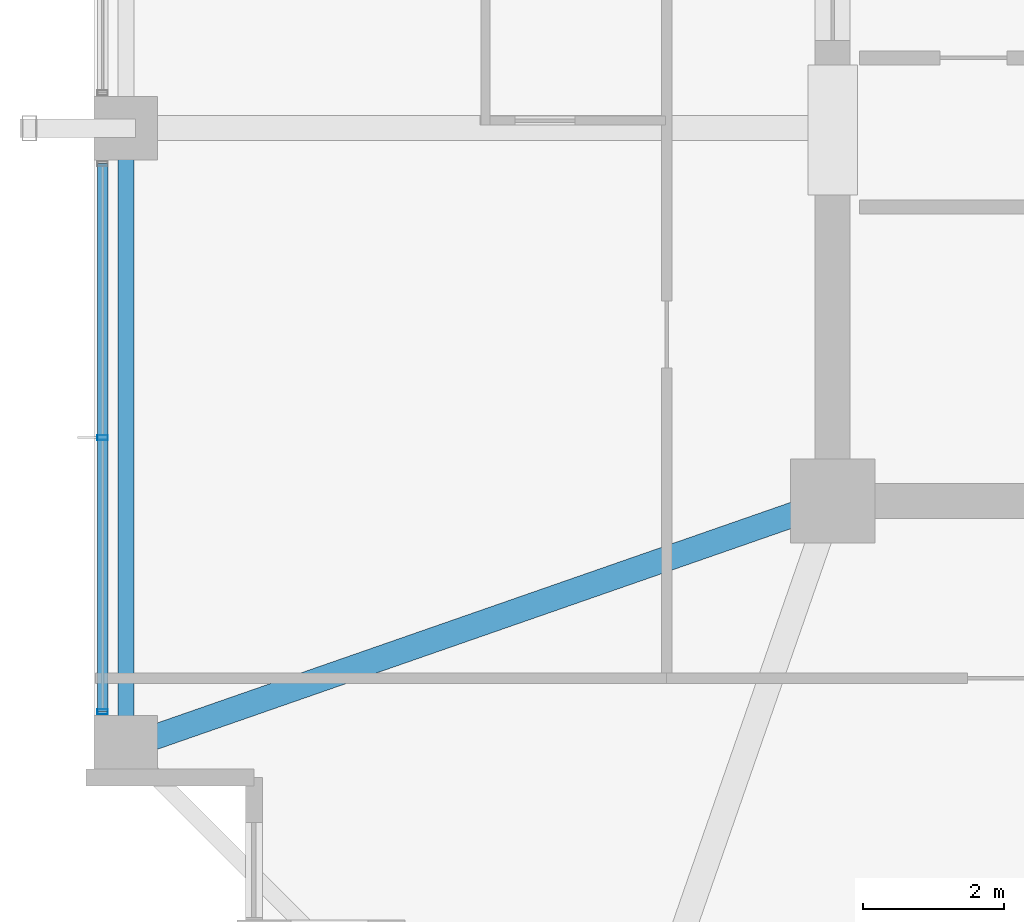
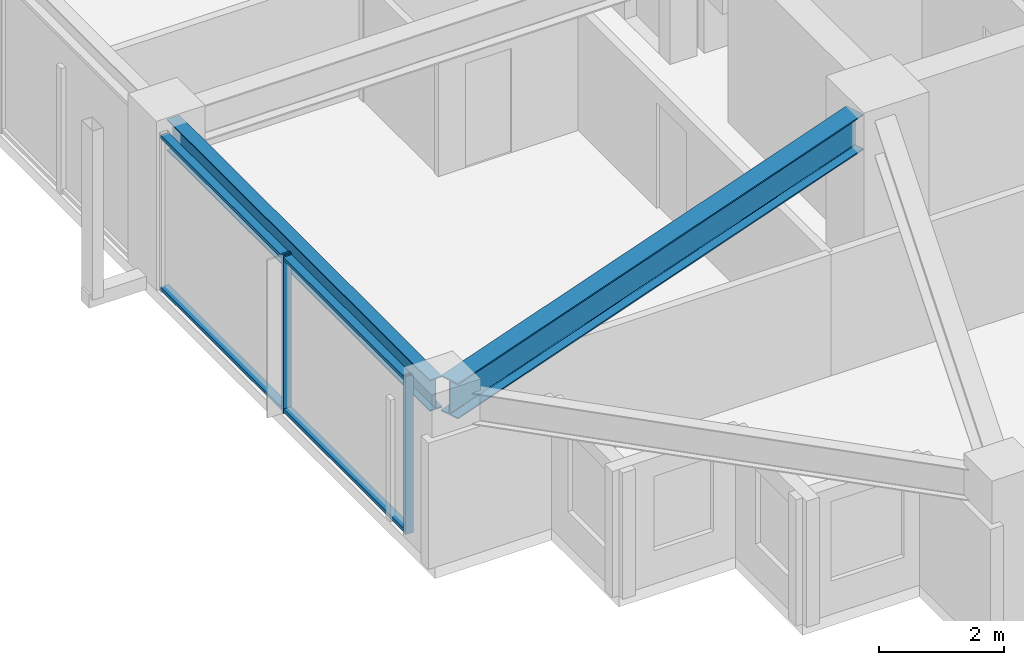
# One storey, part 3 of 37: 4 members, 2 beams, 1 element without a shape of its own.
"""IFC4 building model written with IfcOpenShell, lengths in metres."""

from ifc_helpers import new_model, si_unit, direction, frame, origin, origin_2d, place, context, subcontext, project, spatial, hollow_rectangle, i_section, extrude, material, material_profile, profile_set, type_object, element, aggregate, save


model = new_model("IFC4")

# Units and contexts
model_context = context("Model", 3, precision=1e-05, world=origin(), true_north=direction((0.0, 1.0)))
body_context = subcontext(model_context, "Body", "Model", "MODEL_VIEW")
ifc_project = project(units=[si_unit("LENGTHUNIT", "METRE"), si_unit("AREAUNIT", "SQUARE_METRE"), si_unit("VOLUMEUNIT", "CUBIC_METRE"), si_unit("PLANEANGLEUNIT", "RADIAN"), si_unit("MASSUNIT", "GRAM", prefix="KILO")], contexts=[model_context])

# Site, building, storey
site_placement = place(None, origin())
site = spatial("IfcSite", under=ifc_project, at=site_placement, CompositionType="ELEMENT")
building_placement = place(site_placement, origin())
building = spatial("IfcBuilding", under=site, at=building_placement, Name="Kolvaren Belvedere", CompositionType="ELEMENT")
storey_placement = place(building_placement, frame((0.0, 0.0, 180.0)))
storey = spatial("IfcBuildingStorey", under=building, at=storey_placement, Name="L52", CompositionType="ELEMENT", Elevation=180.0)

# Beams
ifc_material_1 = material(Name="Structural steel ASTM A992 Grade 50", Category="steel")
ifc_material_profile_1 = material_profile(ifc_material_1, i_section(OverallWidth=0.35498046875, OverallDepth=0.696044921875, WebThickness=0.015380859375, FlangeThickness=0.02490234375, FilletRadius=0.02197265625, at=origin_2d()), Name="W27X146")
ifc_profile_set_1 = profile_set([ifc_material_profile_1], Name="Structural steel ASTM A992 Grade 50")
beam_type_1 = type_object("IfcBeamType", Name="BM-GIRD-W27X146", PredefinedType="BEAM", material=ifc_profile_set_1)
beam_1_placement = place(storey_placement, frame((-10.41943359375, -10.080810546875, 2.73193359375), z_axis=(-0.944366798861, -0.328894130701, 0.0), x_axis=(0.328894130701, -0.944366798861, 0.0)))
element("IfcBeam", 1, at=beam_1_placement, inside=storey, type_object=beam_type_1, Name="L52 Corner Core-to-Perimeter Girder CC1-W1", PredefinedType="BEAM", context=body_context, shape_type="SweptSolid", body=[
    extrude(i_section(OverallWidth=0.35498046875, OverallDepth=0.696044921875, WebThickness=0.015380859375, FlangeThickness=0.02490234375, FilletRadius=0.02197265625, at=origin_2d()), origin(), (0.0, 0.0, 1.0), 9.912109375),
])
ifc_material_2 = material(Name="Structural steel ASTM A992 Grade 50", Category="steel")
ifc_material_profile_2 = material_profile(ifc_material_2, i_section(OverallWidth=0.22900390625, OverallDepth=0.612060546875, WebThickness=0.011962890625, FlangeThickness=0.01953125, FilletRadius=0.01806640625, at=origin_2d()), Name="W24X84")
ifc_profile_set_2 = profile_set([ifc_material_profile_2], Name="Structural steel ASTM A992 Grade 50")
beam_type_2 = type_object("IfcBeamType", Name="BM-SPAN-W24X84", PredefinedType="SPANDREL", material=ifc_profile_set_2)
beam_2_placement = place(storey_placement, frame((-19.949951171875, -4.802490234375, 2.77392578125), z_axis=(0.0, -1.0, 0.0), x_axis=(1.0, 0.0, 0.0)))
element("IfcBeam", 2, at=beam_2_placement, inside=storey, type_object=beam_type_2, Name="L52 Perimeter Spandrel W2-W1", PredefinedType="SPANDREL", context=body_context, shape_type="SweptSolid", body=[
    extrude(i_section(OverallWidth=0.22900390625, OverallDepth=0.612060546875, WebThickness=0.011962890625, FlangeThickness=0.01953125, FilletRadius=0.01806640625, at=origin_2d()), origin(), (0.0, 0.0, 1.0), 8.39501953125),
])

# Curtain wall, members
ifc_material_3 = material(Name="Anodised pale-metal aluminium AA 6063-T6", Category="aluminium")
curtain_wall_type = type_object("IfcCurtainWallType", Name="CW-Z5-HIGH", PredefinedType="NOTDEFINED", material=ifc_material_3)
curtain_wall_placement = place(storey_placement, origin())
curtain_wall = element("IfcCurtainWall", 3, at=curtain_wall_placement, inside=storey, type_object=curtain_wall_type, Name="L52 Unitised Curtain Wall FCW-L52-W-B1", PredefinedType="NOTDEFINED")
ifc_material_4 = material(Name="Anodised pale-metal aluminium AA 6063-T6", Category="aluminium")
ifc_material_profile_3 = material_profile(ifc_material_4, hollow_rectangle(XDim=0.070068359375, YDim=0.14990234375, WallThickness=0.004150390625, at=origin_2d()), Name="ALU-MUL-150X70")
ifc_profile_set_3 = profile_set([ifc_material_profile_3], Name="Anodised pale-metal aluminium AA 6063-T6")
member_type_1 = type_object("IfcMemberType", Name="CW-MUL-150", PredefinedType="MULLION", material=ifc_profile_set_3)
member_1_placement = place(storey_placement, frame((-20.280029296875, -12.89501953125, 0.0), z_axis=(0.0, 0.0, 1.0), x_axis=(0.0, 1.0, 0.0)))
member_1 = element("IfcMember", 4, at=member_1_placement, type_object=member_type_1, Name="FCW-L52-W-B1 Unitised Mullion 1", PredefinedType="MULLION", context=body_context, shape_type="SweptSolid", body=[
    extrude(hollow_rectangle(XDim=0.070068359375, YDim=0.14990234375, WallThickness=0.004150390625, at=origin_2d()), origin(), (0.0, 0.0, 1.0), 3.080078125),
])
member_2_placement = place(storey_placement, frame((-20.280029296875, -9.0, 0.0), z_axis=(0.0, 0.0, 1.0), x_axis=(0.0, 1.0, 0.0)))
member_2 = element("IfcMember", 5, at=member_2_placement, type_object=member_type_1, Name="FCW-L52-W-B1 Unitised Mullion 2", PredefinedType="MULLION", context=body_context, shape_type="SweptSolid", body=[
    extrude(hollow_rectangle(XDim=0.070068359375, YDim=0.14990234375, WallThickness=0.004150390625, at=origin_2d()), origin(), (0.0, 0.0, 1.0), 3.080078125),
])
ifc_material_5 = material(Name="Anodised pale-metal aluminium AA 6063-T6", Category="aluminium")
ifc_material_profile_4 = material_profile(ifc_material_5, hollow_rectangle(XDim=0.06494140625, YDim=0.14990234375, WallThickness=0.00390625, at=origin_2d()), Name="ALU-TRN-150X65")
ifc_profile_set_4 = profile_set([ifc_material_profile_4], Name="Anodised pale-metal aluminium AA 6063-T6")
member_type_2 = type_object("IfcMemberType", Name="CW-TRN-150", PredefinedType="USERDEFINED", material=ifc_profile_set_4)
member_3_placement = place(storey_placement, frame((-20.280029296875, -12.89501953125, 0.06005859375), z_axis=(0.0, 1.0, 0.0), x_axis=(0.0, 0.0, 1.0)))
member_3 = element("IfcMember", 6, at=member_3_placement, type_object=member_type_2, Name="FCW-L52-W-B1 Sill Transom", ObjectType="TRANSOM", PredefinedType="USERDEFINED", context=body_context, shape_type="SweptSolid", body=[
    extrude(hollow_rectangle(XDim=0.06494140625, YDim=0.14990234375, WallThickness=0.00390625, at=origin_2d()), origin(), (0.0, 0.0, 1.0), 7.7900390625),
])
member_4_placement = place(storey_placement, frame((-20.280029296875, -12.89501953125, 3.02001953125), z_axis=(0.0, 1.0, 0.0), x_axis=(0.0, 0.0, 1.0)))
member_4 = element("IfcMember", 7, at=member_4_placement, type_object=member_type_2, Name="FCW-L52-W-B1 Head Transom", ObjectType="TRANSOM", PredefinedType="USERDEFINED", context=body_context, shape_type="SweptSolid", body=[
    extrude(hollow_rectangle(XDim=0.06494140625, YDim=0.14990234375, WallThickness=0.00390625, at=origin_2d()), origin(), (0.0, 0.0, 1.0), 7.7900390625),
])
aggregate(curtain_wall, [member_1, member_2, member_3, member_4])

save(model, "model.ifc")
